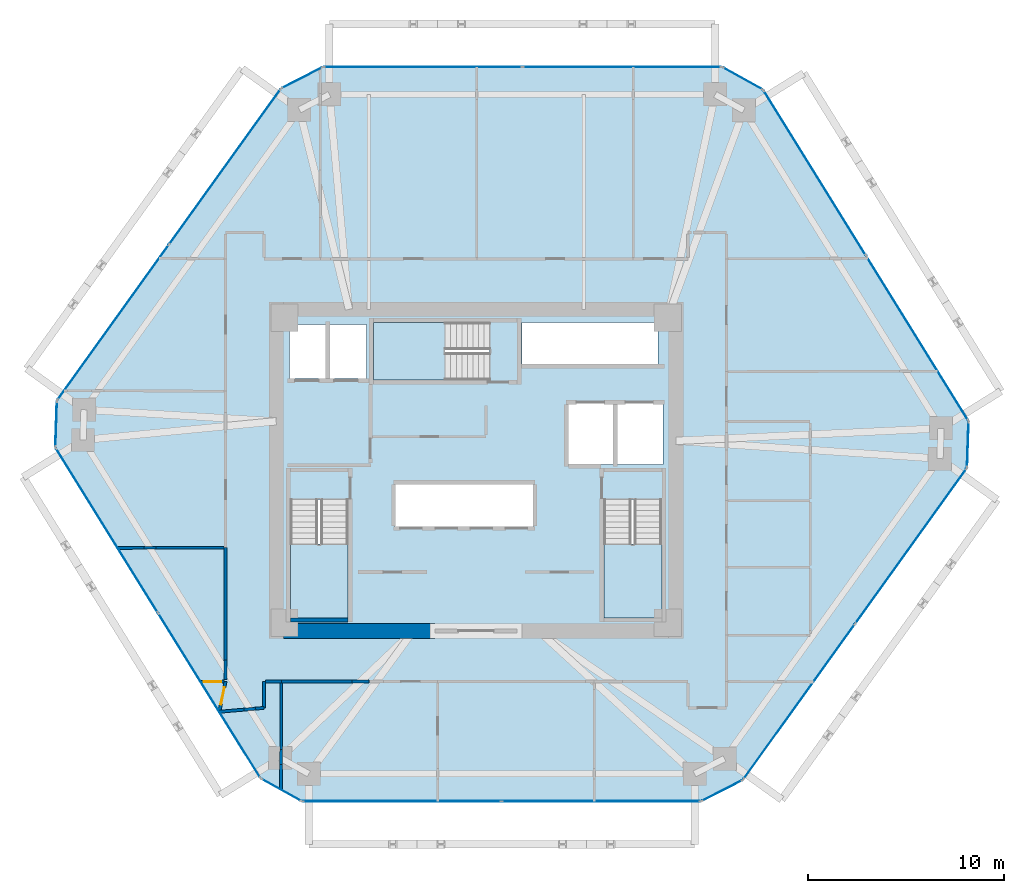
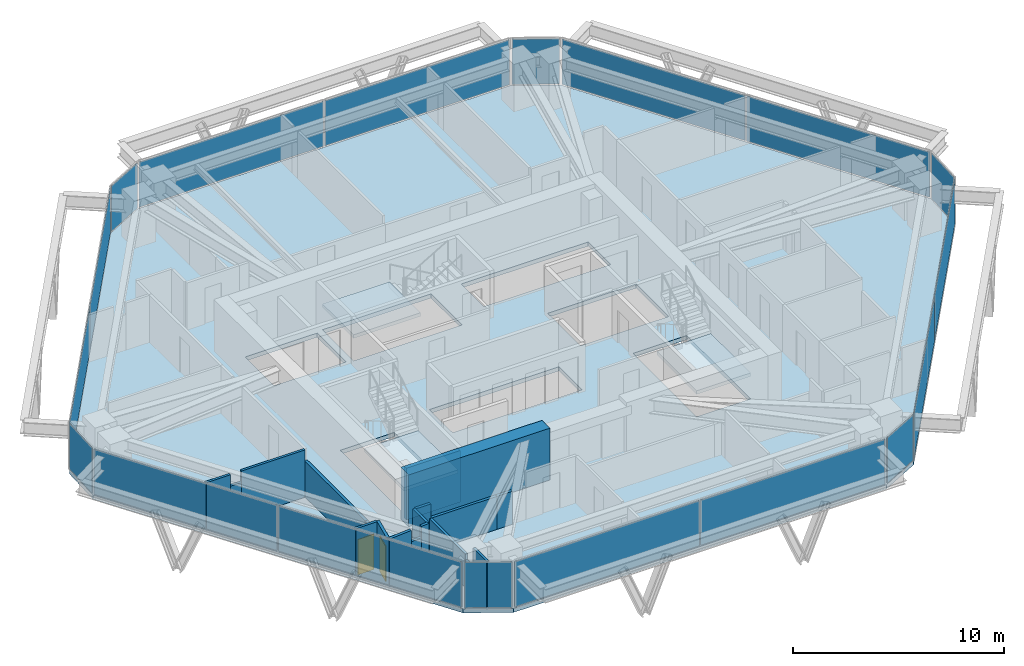
# One storey, part 9 of 14: 19 walls, 18 plates, 4 slabs, 2 doors, 2 openings, 15 elements without a shape of their own.
"""IFC4 building model written with IfcOpenShell, lengths in metres."""

from ifc_helpers import new_model, si_unit, direction, frame, frame_2d, origin, origin_2d, place, context, subcontext, project, spatial, polyline, rectangle, outline, extrude, source, transform, mapped, material, layer, layer_set, type_object, type_shapes, element, fill, aggregate, save


model = new_model("IFC4")

# Units and contexts
model_context = context("Model", 3, precision=1e-05, world=origin(), true_north=direction((0.0, 1.0)))
body_context = subcontext(model_context, "Body", "Model", "MODEL_VIEW")
ifc_project = project(units=[si_unit("LENGTHUNIT", "METRE"), si_unit("AREAUNIT", "SQUARE_METRE"), si_unit("VOLUMEUNIT", "CUBIC_METRE"), si_unit("PLANEANGLEUNIT", "RADIAN"), si_unit("MASSUNIT", "GRAM", prefix="KILO")], contexts=[model_context])

# Site, building, storey
site_placement = place(None, origin())
site = spatial("IfcSite", under=ifc_project, at=site_placement, CompositionType="ELEMENT")
building_placement = place(site_placement, origin())
building = spatial("IfcBuilding", under=site, at=building_placement, Name="Durnholm Broadcast Tower", CompositionType="ELEMENT")
storey_placement = place(building_placement, frame((0.0, 0.0, 140.10009765625)))
storey = spatial("IfcBuildingStorey", under=building, at=storey_placement, Name="L38", CompositionType="ELEMENT", Elevation=140.10009765625)

# Slab
ifc_material_1 = material(Name="Concrete C50/60", Category="concrete")
ifc_layer_1 = layer(ifc_material_1, 0.239990234375)
ifc_layer_set_1 = layer_set([ifc_layer_1], Name="Concrete C50/60")
slab_type_1 = type_object("IfcSlabType", Name="SLAB-FLR-240", PredefinedType="FLOOR", material=ifc_layer_set_1)
slab_1_placement = place(storey_placement, frame((0.0, 0.0, -0.239990234375)))
element("IfcSlab", 1, at=slab_1_placement, inside=storey, type_object=slab_type_1, Name="L38 structural floor slab", PredefinedType="FLOOR", context=body_context, shape_type="SweptSolid", body=[
    extrude(outline(polyline([(-11.012451171875, -15.77001953125), (-8.915283203125, -16.93701171875), (11.51416015625, -16.93701171875), (13.649658203125, -15.841796875), (25.11279296875, 0.114990234375), (25.1943359375, 2.513671875), (14.6904296875, 19.447998046875), (12.59326171875, 20.614990234375), (-7.836181640625, 20.614990234375), (-9.9716796875, 19.519775390625), (-21.434814453125, 3.56298828125), (-21.516357421875, 1.164306640625), (-11.012451171875, -15.77001953125)]), holes=[polyline([(-6.5400390625, -1.5), (-9.5, -1.5), (-9.5, -7.550048828125), (-6.5400390625, -7.550048828125), (-6.5400390625, -1.5)]), polyline([(9.5, -7.550048828125), (9.5, -1.5), (6.5400390625, -1.5), (6.5400390625, -7.550048828125), (9.5, -7.550048828125)]), polyline([(2.949951171875, -0.699951171875), (-4.14990234375, -0.699951171875), (-4.14990234375, -2.89990234375), (2.949951171875, -2.89990234375), (2.949951171875, -0.699951171875)]), polyline([(9.550048828125, 3.39990234375), (4.699951171875, 3.39990234375), (4.699951171875, 0.300048828125), (9.550048828125, 0.300048828125), (9.550048828125, 3.39990234375)]), polyline([(-5.60009765625, 7.449951171875), (-9.550048828125, 7.449951171875), (-9.550048828125, 4.699951171875), (-5.60009765625, 4.699951171875), (-5.60009765625, 7.449951171875)]), polyline([(-5.25, 4.60009765625), (0.699951171875, 4.60009765625), (0.699951171875, 7.56005859375), (-5.25, 7.56005859375), (-5.25, 4.60009765625)]), polyline([(9.31005859375, 7.550048828125), (2.35009765625, 7.550048828125), (2.35009765625, 5.39990234375), (9.31005859375, 5.39990234375), (9.31005859375, 7.550048828125)])]), origin(), (0.0, 0.0, 1.0), 0.239990234375),
])

# Stair, slab
stair_type = type_object("IfcStairType", Name="STAIR-DL-18R1667", PredefinedType="HALF_TURN_STAIR", material=ifc_material_1)
stair_1_placement = place(storey_placement, origin())
stair_1 = element("IfcStair", 2, at=stair_1_placement, inside=storey, type_object=stair_type, Name="L38 ST-1", PredefinedType="HALF_TURN_STAIR")
ifc_layer_2 = layer(ifc_material_1, 0.199951171875)
ifc_layer_set_2 = layer_set([ifc_layer_2], Name="Concrete C50/60")
slab_type_2 = type_object("IfcSlabType", Name="SLAB-LND-200", PredefinedType="LANDING", material=ifc_layer_set_2)
slab_2_placement = place(storey_placement, frame((0.0, 0.0, 1.2998046875)))
slab_2 = element("IfcSlab", 3, at=slab_2_placement, type_object=slab_type_2, Name="ST-1 landing 1", PredefinedType="LANDING", context=body_context, shape_type="SweptSolid", body=[
    extrude(outline(polyline([(-9.5, -3.780029296875), (-9.5, -7.550048828125), (-6.5400390625, -7.550048828125), (-6.5400390625, -3.780029296875), (-9.5, -3.780029296875)])), origin(), (0.0, 0.0, 1.0), 0.2001953125),
])
aggregate(stair_1, [slab_2])

stair_2_placement = place(storey_placement, origin())
stair_2 = element("IfcStair", 4, at=stair_2_placement, inside=storey, type_object=stair_type, Name="L38 ST-2", PredefinedType="HALF_TURN_STAIR")
slab_3_placement = place(storey_placement, frame((0.0, 0.0, 1.2998046875)))
slab_3 = element("IfcSlab", 5, at=slab_3_placement, type_object=slab_type_2, Name="ST-2 landing 1", PredefinedType="LANDING", context=body_context, shape_type="SweptSolid", body=[
    extrude(outline(polyline([(6.5400390625, -3.780029296875), (6.5400390625, -7.550048828125), (9.5, -7.550048828125), (9.5, -3.780029296875), (6.5400390625, -3.780029296875)])), origin(), (0.0, 0.0, 1.0), 0.2001953125),
])
aggregate(stair_2, [slab_3])

stair_3_placement = place(storey_placement, origin())
stair_3 = element("IfcStair", 6, at=stair_3_placement, inside=storey, type_object=stair_type, Name="L38 ST-3", PredefinedType="HALF_TURN_STAIR")
slab_4_placement = place(storey_placement, frame((0.0, 0.0, 1.2998046875)))
slab_4 = element("IfcSlab", 7, at=slab_4_placement, type_object=slab_type_2, Name="ST-3 landing 1", PredefinedType="LANDING", context=body_context, shape_type="SweptSolid", body=[
    extrude(outline(polyline([(-1.580078125, 7.56005859375), (-5.25, 7.56005859375), (-5.25, 4.60009765625), (-1.580078125, 4.60009765625), (-1.580078125, 7.56005859375)])), origin(), (0.0, 0.0, 1.0), 0.2001953125),
])
aggregate(stair_3, [slab_4])

# Curtain wall, plate
ifc_material_2 = material(Name="Aluminium and Solar Control IGU", Category="aluminium")
ifc_layer_3 = layer(ifc_material_2, 0.1650390625)
ifc_layer_set_3 = layer_set([ifc_layer_3], Name="Aluminium and Solar Control IGU")
curtain_wall_type_1 = type_object("IfcCurtainWallType", Name="CW-SYS-5", PredefinedType="NOTDEFINED", material=ifc_layer_set_3)
curtain_wall_1_placement = place(storey_placement, origin())
curtain_wall_1 = element("IfcCurtainWall", 8, at=curtain_wall_1_placement, inside=storey, type_object=curtain_wall_type_1, Name="L38 curtain wall CW-CORNER CW-L38-CRN-01", PredefinedType="NOTDEFINED")
ifc_material_3 = material(Name="Low-E Laminated Insulating Glass", Category="glass")
ifc_layer_4 = layer(ifc_material_3, 0.030029296875)
ifc_layer_set_4 = layer_set([ifc_layer_4], Name="Low-E Laminated Insulating Glass")
plate_type_1 = type_object("IfcPlateType", Name="CW-SYS-5-PNL", PredefinedType="CURTAIN_PANEL", material=ifc_layer_set_4)
shared_shape_1 = source(origin(), body_context, "Body", "SweptSolid", [
    extrude(rectangle(XDim=2.27001953125, YDim=0.030029296875, at=origin_2d()), origin(), (0.0, 0.0, 1.0), 2.6298828125),
])
type_shapes(plate_type_1, [shared_shape_1])
plate_1_placement = place(storey_placement, frame((-21.4755859375, 2.36376953125, 0.06494140625), z_axis=(0.0, 0.0, 1.0), x_axis=(0.033916937775, 0.999424655155, 0.0)))
plate_1 = element("IfcPlate", 9, at=plate_1_placement, type_object=plate_type_1, Name="CW-CORNER panel 1.1", PredefinedType="CURTAIN_PANEL", context=body_context, shape_type="MappedRepresentation", body=[
    mapped(shared_shape_1, transform((0.0, 0.0, 0.0), x_axis=(1.0, 0.0, 0.0), y_axis=(0.0, 1.0, 0.0), z_axis=(0.0, 0.0, 1.0), scale=1.0)),
])
aggregate(curtain_wall_1, [plate_1])

curtain_wall_2_placement = place(storey_placement, origin())
curtain_wall_2 = element("IfcCurtainWall", 10, at=curtain_wall_2_placement, inside=storey, type_object=curtain_wall_type_1, Name="L38 curtain wall CW-CORNER CW-L38-CRN-03", PredefinedType="NOTDEFINED")
plate_2_placement = place(storey_placement, frame((-8.904052734375, 20.0673828125, 0.06494140625), z_axis=(0.0, 0.0, 1.0), x_axis=(0.889788396392, 0.45637332267, 0.0)))
plate_2 = element("IfcPlate", 11, at=plate_2_placement, type_object=plate_type_1, Name="CW-CORNER panel 1.1", PredefinedType="CURTAIN_PANEL", context=body_context, shape_type="MappedRepresentation", body=[
    mapped(shared_shape_1, transform((0.0, 0.0, 0.0), x_axis=(1.0, 0.0, 0.0), y_axis=(0.0, 1.0, 0.0), z_axis=(0.0, 0.0, 1.0), scale=1.0)),
])
aggregate(curtain_wall_2, [plate_2])

curtain_wall_3_placement = place(storey_placement, origin())
curtain_wall_3 = element("IfcCurtainWall", 12, at=curtain_wall_3_placement, inside=storey, type_object=curtain_wall_type_1, Name="L38 curtain wall CW-CORNER CW-L38-CRN-05", PredefinedType="NOTDEFINED")
plate_3_placement = place(storey_placement, frame((13.641845703125, 20.031494140625, 0.06494140625), z_axis=(0.0, 0.0, 1.0), x_axis=(0.873822953715, -0.486244224192, 0.0)))
plate_3 = element("IfcPlate", 13, at=plate_3_placement, type_object=plate_type_1, Name="CW-CORNER panel 1.1", PredefinedType="CURTAIN_PANEL", context=body_context, shape_type="MappedRepresentation", body=[
    mapped(shared_shape_1, transform((0.0, 0.0, 0.0), x_axis=(1.0, 0.0, 0.0), y_axis=(0.0, 1.0, 0.0), z_axis=(0.0, 0.0, 1.0), scale=1.0)),
])
aggregate(curtain_wall_3, [plate_3])

curtain_wall_4_placement = place(storey_placement, origin())
curtain_wall_4 = element("IfcCurtainWall", 14, at=curtain_wall_4_placement, inside=storey, type_object=curtain_wall_type_1, Name="L38 curtain wall CW-CORNER CW-L38-CRN-07", PredefinedType="NOTDEFINED")
plate_4_placement = place(storey_placement, frame((25.153564453125, 1.314208984375, 0.06494140625), z_axis=(0.0, 0.0, 1.0), x_axis=(-0.033916937775, -0.999424655155, 0.0)))
plate_4 = element("IfcPlate", 15, at=plate_4_placement, type_object=plate_type_1, Name="CW-CORNER panel 1.1", PredefinedType="CURTAIN_PANEL", context=body_context, shape_type="MappedRepresentation", body=[
    mapped(shared_shape_1, transform((0.0, 0.0, 0.0), x_axis=(1.0, 0.0, 0.0), y_axis=(0.0, 1.0, 0.0), z_axis=(0.0, 0.0, 1.0), scale=1.0)),
])
aggregate(curtain_wall_4, [plate_4])

curtain_wall_5_placement = place(storey_placement, origin())
curtain_wall_5 = element("IfcCurtainWall", 16, at=curtain_wall_5_placement, inside=storey, type_object=curtain_wall_type_1, Name="L38 curtain wall CW-CORNER CW-L38-CRN-09", PredefinedType="NOTDEFINED")
plate_5_placement = place(storey_placement, frame((12.58203125, -16.389404296875, 0.06494140625), z_axis=(0.0, 0.0, 1.0), x_axis=(-0.889788396392, -0.45637332267, 0.0)))
plate_5 = element("IfcPlate", 17, at=plate_5_placement, type_object=plate_type_1, Name="CW-CORNER panel 1.1", PredefinedType="CURTAIN_PANEL", context=body_context, shape_type="MappedRepresentation", body=[
    mapped(shared_shape_1, transform((0.0, 0.0, 0.0), x_axis=(1.0, 0.0, 0.0), y_axis=(0.0, 1.0, 0.0), z_axis=(0.0, 0.0, 1.0), scale=1.0)),
])
aggregate(curtain_wall_5, [plate_5])

curtain_wall_6_placement = place(storey_placement, origin())
curtain_wall_6 = element("IfcCurtainWall", 18, at=curtain_wall_6_placement, inside=storey, type_object=curtain_wall_type_1, Name="L38 curtain wall CW-CORNER CW-L38-CRN-11", PredefinedType="NOTDEFINED")
plate_6_placement = place(storey_placement, frame((-9.9638671875, -16.353515625, 0.06494140625), z_axis=(0.0, 0.0, 1.0), x_axis=(-0.873822953715, 0.486244224192, 0.0)))
plate_6 = element("IfcPlate", 19, at=plate_6_placement, type_object=plate_type_1, Name="CW-CORNER panel 1.1", PredefinedType="CURTAIN_PANEL", context=body_context, shape_type="MappedRepresentation", body=[
    mapped(shared_shape_1, transform((0.0, 0.0, 0.0), x_axis=(1.0, 0.0, 0.0), y_axis=(0.0, 1.0, 0.0), z_axis=(0.0, 0.0, 1.0), scale=1.0)),
])
aggregate(curtain_wall_6, [plate_6])

# Curtain wall, plates
ifc_layer_5 = layer(ifc_material_2, 0.18994140625)
ifc_layer_set_5 = layer_set([ifc_layer_5], Name="Aluminium and Solar Control IGU")
curtain_wall_type_2 = type_object("IfcCurtainWallType", Name="CW-SYS-3", PredefinedType="NOTDEFINED", material=ifc_layer_set_5)
curtain_wall_7_placement = place(storey_placement, origin())
curtain_wall_7 = element("IfcCurtainWall", 20, at=curtain_wall_7_placement, inside=storey, type_object=curtain_wall_type_2, Name="L38 curtain wall CW-Z12-VIS CW-L38-F02", PredefinedType="NOTDEFINED")
ifc_layer_6 = layer(ifc_material_3, 0.031982421875)
ifc_layer_set_6 = layer_set([ifc_layer_6], Name="Low-E Laminated Insulating Glass")
plate_type_2 = type_object("IfcPlateType", Name="CW-SYS-3-PNL", PredefinedType="CURTAIN_PANEL", material=ifc_layer_set_6)
shared_shape_2 = source(origin(), body_context, "Body", "SweptSolid", [
    extrude(rectangle(XDim=9.71875, YDim=0.031982421875, at=origin_2d()), origin(), (0.0, 0.0, 1.0), 2.6201171875),
])
plate_7_placement = place(storey_placement, frame((-18.558837890625, 7.56640625, 0.06982421875), z_axis=(0.0, 0.0, 1.0), x_axis=(0.583445473786, 0.812152312759, 0.0)))
plate_7 = element("IfcPlate", 21, at=plate_7_placement, type_object=plate_type_2, Name="CW-Z12-VIS panel 1.1", PredefinedType="CURTAIN_PANEL", context=body_context, shape_type="MappedRepresentation", body=[
    mapped(shared_shape_2, transform((0.0, 0.0, 0.0), x_axis=(1.0, 0.0, 0.0), y_axis=(0.0, 1.0, 0.0), z_axis=(0.0, 0.0, 1.0), scale=1.0)),
])
plate_8_placement = place(storey_placement, frame((-12.84765625, 15.516357421875, 0.06982421875), z_axis=(0.0, 0.0, 1.0), x_axis=(0.583445473786, 0.812152312759, 0.0)))
plate_8 = element("IfcPlate", 22, at=plate_8_placement, type_object=plate_type_2, Name="CW-Z12-VIS panel 2.1", PredefinedType="CURTAIN_PANEL", context=body_context, shape_type="MappedRepresentation", body=[
    mapped(shared_shape_2, transform((0.0, 0.0, 0.0), x_axis=(1.0, 0.0, 0.0), y_axis=(0.0, 1.0, 0.0), z_axis=(0.0, 0.0, 1.0), scale=1.0)),
])
aggregate(curtain_wall_7, [plate_7, plate_8])

curtain_wall_8_placement = place(storey_placement, origin())
curtain_wall_8 = element("IfcCurtainWall", 23, at=curtain_wall_8_placement, inside=storey, type_object=curtain_wall_type_2, Name="L38 curtain wall CW-Z12-VIS CW-L38-F08", PredefinedType="NOTDEFINED")
plate_9_placement = place(storey_placement, frame((22.23681640625, -3.888427734375, 0.06982421875), z_axis=(0.0, 0.0, 1.0), x_axis=(-0.583445473786, -0.812152312759, 0.0)))
plate_9 = element("IfcPlate", 24, at=plate_9_placement, type_object=plate_type_2, Name="CW-Z12-VIS panel 1.1", PredefinedType="CURTAIN_PANEL", context=body_context, shape_type="MappedRepresentation", body=[
    mapped(shared_shape_2, transform((0.0, 0.0, 0.0), x_axis=(1.0, 0.0, 0.0), y_axis=(0.0, 1.0, 0.0), z_axis=(0.0, 0.0, 1.0), scale=1.0)),
])
plate_10_placement = place(storey_placement, frame((16.525634765625, -11.83837890625, 0.06982421875), z_axis=(0.0, 0.0, 1.0), x_axis=(-0.583445473786, -0.812152312759, 0.0)))
plate_10 = element("IfcPlate", 25, at=plate_10_placement, type_object=plate_type_2, Name="CW-Z12-VIS panel 2.1", PredefinedType="CURTAIN_PANEL", context=body_context, shape_type="MappedRepresentation", body=[
    mapped(shared_shape_2, transform((0.0, 0.0, 0.0), x_axis=(1.0, 0.0, 0.0), y_axis=(0.0, 1.0, 0.0), z_axis=(0.0, 0.0, 1.0), scale=1.0)),
])
aggregate(curtain_wall_8, [plate_9, plate_10])

curtain_wall_9_placement = place(storey_placement, origin())
curtain_wall_9 = element("IfcCurtainWall", 26, at=curtain_wall_9_placement, inside=storey, type_object=curtain_wall_type_2, Name="L38 curtain wall CW-Z12-VIS CW-L38-F04", PredefinedType="NOTDEFINED")
shared_shape_3 = source(origin(), body_context, "Body", "SweptSolid", [
    extrude(rectangle(XDim=10.109619140625, YDim=0.031982421875, at=origin_2d()), origin(), (0.0, 0.0, 1.0), 2.6201171875),
])
plate_11_placement = place(storey_placement, frame((-2.71142578125, 20.614990234375, 0.06982421875), z_axis=(0.0, 0.0, 1.0), x_axis=(1.0, 0.0, 0.0)))
plate_11 = element("IfcPlate", 27, at=plate_11_placement, type_object=plate_type_2, Name="CW-Z12-VIS panel 1.1", PredefinedType="CURTAIN_PANEL", context=body_context, shape_type="MappedRepresentation", body=[
    mapped(shared_shape_3, transform((0.0, 0.0, 0.0), x_axis=(1.0, 0.0, 0.0), y_axis=(0.0, 1.0, 0.0), z_axis=(0.0, 0.0, 1.0), scale=1.0)),
])
plate_12_placement = place(storey_placement, frame((7.46826171875, 20.614990234375, 0.06982421875), z_axis=(0.0, 0.0, 1.0), x_axis=(1.0, 0.0, 0.0)))
plate_12 = element("IfcPlate", 28, at=plate_12_placement, type_object=plate_type_2, Name="CW-Z12-VIS panel 2.1", PredefinedType="CURTAIN_PANEL", context=body_context, shape_type="MappedRepresentation", body=[
    mapped(shared_shape_3, transform((0.0, 0.0, 0.0), x_axis=(1.0, 0.0, 0.0), y_axis=(0.0, 1.0, 0.0), z_axis=(0.0, 0.0, 1.0), scale=1.0)),
])
aggregate(curtain_wall_9, [plate_11, plate_12])

curtain_wall_10_placement = place(storey_placement, origin())
curtain_wall_10 = element("IfcCurtainWall", 29, at=curtain_wall_10_placement, inside=storey, type_object=curtain_wall_type_2, Name="L38 curtain wall CW-Z12-VIS CW-L38-F10", PredefinedType="NOTDEFINED")
plate_13_placement = place(storey_placement, frame((6.389404296875, -16.93701171875, 0.06982421875), z_axis=(0.0, 0.0, 1.0), x_axis=(-1.0, 0.0, 0.0)))
plate_13 = element("IfcPlate", 30, at=plate_13_placement, type_object=plate_type_2, Name="CW-Z12-VIS panel 1.1", PredefinedType="CURTAIN_PANEL", context=body_context, shape_type="MappedRepresentation", body=[
    mapped(shared_shape_3, transform((0.0, 0.0, 0.0), x_axis=(1.0, 0.0, 0.0), y_axis=(0.0, 1.0, 0.0), z_axis=(0.0, 0.0, 1.0), scale=1.0)),
])
plate_14_placement = place(storey_placement, frame((-3.790283203125, -16.93701171875, 0.06982421875), z_axis=(0.0, 0.0, 1.0), x_axis=(-1.0, 0.0, 0.0)))
plate_14 = element("IfcPlate", 31, at=plate_14_placement, type_object=plate_type_2, Name="CW-Z12-VIS panel 2.1", PredefinedType="CURTAIN_PANEL", context=body_context, shape_type="MappedRepresentation", body=[
    mapped(shared_shape_3, transform((0.0, 0.0, 0.0), x_axis=(1.0, 0.0, 0.0), y_axis=(0.0, 1.0, 0.0), z_axis=(0.0, 0.0, 1.0), scale=1.0)),
])
aggregate(curtain_wall_10, [plate_13, plate_14])

curtain_wall_11_placement = place(storey_placement, origin())
curtain_wall_11 = element("IfcCurtainWall", 32, at=curtain_wall_11_placement, inside=storey, type_object=curtain_wall_type_2, Name="L38 curtain wall CW-Z12-VIS CW-L38-F06", PredefinedType="NOTDEFINED")
shared_shape_4 = source(origin(), body_context, "Body", "SweptSolid", [
    extrude(rectangle(XDim=9.858642578125, YDim=0.031982421875, at=origin_2d()), origin(), (0.0, 0.0, 1.0), 2.6201171875),
])
type_shapes(plate_type_2, [shared_shape_2, shared_shape_3, shared_shape_4])
plate_15_placement = place(storey_placement, frame((17.32568359375, 15.199462890625, 0.06982421875), z_axis=(0.0, 0.0, 1.0), x_axis=(0.527105385176, -0.849799925229, 0.0)))
plate_15 = element("IfcPlate", 33, at=plate_15_placement, type_object=plate_type_2, Name="CW-Z12-VIS panel 1.1", PredefinedType="CURTAIN_PANEL", context=body_context, shape_type="MappedRepresentation", body=[
    mapped(shared_shape_4, transform((0.0, 0.0, 0.0), x_axis=(1.0, 0.0, 0.0), y_axis=(0.0, 1.0, 0.0), z_axis=(0.0, 0.0, 1.0), scale=1.0)),
])
plate_16_placement = place(storey_placement, frame((22.55908203125, 6.761962890625, 0.06982421875), z_axis=(0.0, 0.0, 1.0), x_axis=(0.527105385176, -0.849799925229, 0.0)))
plate_16 = element("IfcPlate", 34, at=plate_16_placement, type_object=plate_type_2, Name="CW-Z12-VIS panel 2.1", PredefinedType="CURTAIN_PANEL", context=body_context, shape_type="MappedRepresentation", body=[
    mapped(shared_shape_4, transform((0.0, 0.0, 0.0), x_axis=(1.0, 0.0, 0.0), y_axis=(0.0, 1.0, 0.0), z_axis=(0.0, 0.0, 1.0), scale=1.0)),
])
aggregate(curtain_wall_11, [plate_15, plate_16])

curtain_wall_12_placement = place(storey_placement, origin())
curtain_wall_12 = element("IfcCurtainWall", 35, at=curtain_wall_12_placement, inside=storey, type_object=curtain_wall_type_2, Name="L38 curtain wall CW-Z12-VIS CW-L38-F12", PredefinedType="NOTDEFINED")
plate_17_placement = place(storey_placement, frame((-13.647705078125, -11.521484375, 0.06982421875), z_axis=(0.0, 0.0, 1.0), x_axis=(-0.527105385176, 0.849799925229, 0.0)))
plate_17 = element("IfcPlate", 36, at=plate_17_placement, type_object=plate_type_2, Name="CW-Z12-VIS panel 1.1", PredefinedType="CURTAIN_PANEL", context=body_context, shape_type="MappedRepresentation", body=[
    mapped(shared_shape_4, transform((0.0, 0.0, 0.0), x_axis=(1.0, 0.0, 0.0), y_axis=(0.0, 1.0, 0.0), z_axis=(0.0, 0.0, 1.0), scale=1.0)),
])
plate_18_placement = place(storey_placement, frame((-18.881103515625, -3.083984375, 0.06982421875), z_axis=(0.0, 0.0, 1.0), x_axis=(-0.527105385176, 0.849799925229, 0.0)))
plate_18 = element("IfcPlate", 37, at=plate_18_placement, type_object=plate_type_2, Name="CW-Z12-VIS panel 2.1", PredefinedType="CURTAIN_PANEL", context=body_context, shape_type="MappedRepresentation", body=[
    mapped(shared_shape_4, transform((0.0, 0.0, 0.0), x_axis=(1.0, 0.0, 0.0), y_axis=(0.0, 1.0, 0.0), z_axis=(0.0, 0.0, 1.0), scale=1.0)),
])
aggregate(curtain_wall_12, [plate_17, plate_18])

# Walls
ifc_material_4 = material(Name="Concrete C70/85", Category="concrete")
ifc_layer_7 = layer(ifc_material_4, 0.75)
ifc_layer_set_7 = layer_set([ifc_layer_7], Name="Concrete C70/85")
wall_type_1 = type_object("IfcWallType", Name="WALL-CW-750", PredefinedType="SHEAR", material=ifc_layer_set_7)
wall_1_placement = place(storey_placement, frame((-9.85009765625, -8.22509765625, 0.0), z_axis=(0.0, 0.0, 1.0), x_axis=(1.0, 0.0, 0.0)))
element("IfcWall", 38, at=wall_1_placement, inside=storey, type_object=wall_type_1, Name="L38 central core shear wall CW-S1", PredefinedType="SHEAR", context=body_context, shape_type="SweptSolid", body=[
    extrude(rectangle(XDim=7.75, YDim=0.75, at=frame_2d((3.875, 0.0))), origin(), (0.0, 0.0, 1.0), 3.0),
])
ifc_material_5 = material(Name="Gypsum Metal Stud Partition", Category="concrete")
ifc_layer_8 = layer(ifc_material_5, 0.135009765625)
ifc_layer_set_8 = layer_set([ifc_layer_8], Name="Gypsum Metal Stud Partition")
wall_type_2 = type_object("IfcWallType", Name="WALL-PART-135", PredefinedType="PARTITIONING", material=ifc_layer_set_8)
wall_2_placement = place(storey_placement, frame((-9.960205078125, -10.888916015625, 0.0), z_axis=(0.0, 0.0, 1.0), x_axis=(-0.003528457908, -0.999993774973, 0.0)))
element("IfcWall", 39, at=wall_2_placement, inside=storey, type_object=wall_type_2, Name="L38 room dividing partition 11.12", PredefinedType="PARTITIONING", context=body_context, shape_type="SweptSolid", body=[
    extrude(rectangle(XDim=3.390380859375, YDim=0.135009765625, at=frame_2d((1.6953125, 0.0))), origin(), (0.0, 0.0, 1.0), 1.912109375),
])
wall_3_placement = place(storey_placement, frame((-9.974853515625, -15.0478515625, 0.0), z_axis=(0.0, 0.0, 1.0), x_axis=(-0.003576784349, -0.999993603286, 0.0)))
element("IfcWall", 40, at=wall_3_placement, inside=storey, type_object=wall_type_2, Name="L38 room dividing partition 11.12", PredefinedType="PARTITIONING", context=body_context, shape_type="SweptSolid", body=[
    extrude(rectangle(XDim=1.296875, YDim=0.135009765625, at=frame_2d((0.6484375, 0.0))), origin(), (0.0, 0.0, 1.0), 2.744873046875),
])
wall_4_placement = place(storey_placement, frame((-9.97216796875, -14.279296875, 0.0), z_axis=(0.0, 0.0, 1.0), x_axis=(-0.003494260751, -0.999993895052, 0.0)))
element("IfcWall", 41, at=wall_4_placement, inside=storey, type_object=wall_type_2, Name="L38 room dividing partition 11.12", PredefinedType="PARTITIONING", context=body_context, shape_type="SweptSolid", body=[
    extrude(rectangle(XDim=0.7685546875, YDim=0.135009765625, at=frame_2d((0.38427734375, 0.0))), origin(), (0.0, 0.0, 1.0), 1.576904296875),
])

# Wall, opening, door
wall_5_placement = place(storey_placement, frame((-14.075927734375, -10.8310546875, 0.0), z_axis=(0.0, 0.0, 1.0), x_axis=(0.999860796611, 0.016684945308, 0.0)))
wall_5 = element("IfcWall", 42, at=wall_5_placement, inside=storey, type_object=wall_type_2, Name="L38 room dividing partition 11.15", PredefinedType="PARTITIONING", context=body_context, shape_type="SweptSolid", body=[
    extrude(rectangle(XDim=1.185302734375, YDim=0.135009765625, at=frame_2d((0.5927734375, 0.0))), origin(), (0.0, 0.0, 1.0), 2.744873046875),
])
opening_1_placement = place(wall_5_placement, frame((0.142578125, 0.0, 0.0)))
opening_1 = element("IfcOpeningElement", 43, at=opening_1_placement, cuts=wall_5, Name="Opening DW-90L", PredefinedType="OPENING", context=body_context, shape_type="SweptSolid", body=[
    extrude(rectangle(XDim=0.89990234375, YDim=2.050048828125, at=frame_2d((0.449951171875, 1.02490234375))), frame((0.0, 0.07763671875, 0.0), z_axis=(0.0, -1.0, 0.0), x_axis=(1.0, 0.0, 0.0)), (0.0, 0.0, 1.0), 0.155029296875),
])
ifc_material_6 = material(Name="Laminate Restroom Door", Category="steel")
ifc_layer_9 = layer(ifc_material_6, 0.050048828125)
ifc_layer_set_9 = layer_set([ifc_layer_9], Name="Laminate Restroom Door")
door_type = type_object("IfcDoorType", Name="DOOR-WC-900L", OperationType="NOTDEFINED", PredefinedType="DOOR", material=ifc_layer_set_9)
shared_shape_5 = source(origin(), body_context, "Body", "SweptSolid", [
    extrude(rectangle(XDim=0.89990234375, YDim=2.050048828125, at=frame_2d((0.449951171875, 1.02490234375))), frame((0.0, 0.02490234375, 0.0), z_axis=(0.0, -1.0, 0.0), x_axis=(1.0, 0.0, 0.0)), (0.0, 0.0, 1.0), 0.050048828125),
])
type_shapes(door_type, [shared_shape_5])
door_1_placement = place(opening_1_placement, origin())
door_1 = element("IfcDoor", 44, at=door_1_placement, inside=storey, type_object=door_type, Name="L38 Compliance Office 1 connecting door", OperationType="SINGLE_SWING_LEFT", OverallHeight=2.050048828125, OverallWidth=0.89990234375, PredefinedType="DOOR", context=body_context, shape_type="MappedRepresentation", body=[
    mapped(shared_shape_5, transform((0.0, 0.0, 0.0), x_axis=(1.0, 0.0, 0.0), y_axis=(0.0, 1.0, 0.0), z_axis=(0.0, 0.0, 1.0), scale=1.0)),
])
fill(opening_1, door_1)

# Walls
wall_6_placement = place(storey_placement, frame((-18.32470703125, -3.981201171875, 0.0), z_axis=(0.0, 0.0, 1.0), x_axis=(0.999992603632, 0.003846125399, 0.0)))
element("IfcWall", 45, at=wall_6_placement, inside=storey, type_object=wall_type_2, Name="L38 room dividing partition 15.16", PredefinedType="PARTITIONING", context=body_context, shape_type="SweptSolid", body=[
    extrude(rectangle(XDim=1.3330078125, YDim=0.135009765625, at=frame_2d((0.66650390625, 0.0))), origin(), (0.0, 0.0, 1.0), 2.744873046875),
])
wall_7_placement = place(storey_placement, frame((-16.37060546875, -3.9736328125, 0.0), z_axis=(0.0, 0.0, 1.0), x_axis=(0.999992563123, 0.003856643361, 0.0)))
element("IfcWall", 46, at=wall_7_placement, inside=storey, type_object=wall_type_2, Name="L38 room dividing partition 15.16", PredefinedType="PARTITIONING", context=body_context, shape_type="SweptSolid", body=[
    extrude(rectangle(XDim=3.481689453125, YDim=0.135009765625, at=frame_2d((1.74072265625, 0.0))), origin(), (0.0, 0.0, 1.0), 2.744873046875),
])
wall_8_placement = place(storey_placement, frame((-16.99169921875, -3.97607421875, 0.0), z_axis=(0.0, 0.0, 1.0), x_axis=(0.999992274426, 0.003930787242, 0.0)))
element("IfcWall", 47, at=wall_8_placement, inside=storey, type_object=wall_type_2, Name="L38 room dividing partition 15.16", PredefinedType="PARTITIONING", context=body_context, shape_type="SweptSolid", body=[
    extrude(rectangle(XDim=0.62109375, YDim=0.135009765625, at=frame_2d((0.310546875, 0.0))), origin(), (0.0, 0.0, 1.0), 2.079833984375),
])
ifc_material_7 = material(Name="Acoustic Gypsum Stud Partition", Category="concrete")
ifc_layer_10 = layer(ifc_material_7, 0.14990234375)
ifc_layer_set_10 = layer_set([ifc_layer_10], Name="Acoustic Gypsum Stud Partition")
wall_type_3 = type_object("IfcWallType", Name="WALL-PART-150", PredefinedType="PARTITIONING", material=ifc_layer_set_10)
wall_9_placement = place(storey_placement, frame((-13.12890625, -12.35791015625, 0.0), z_axis=(0.0, 0.0, 1.0), x_axis=(0.996285787619, 0.086108242279, 0.0)))
element("IfcWall", 48, at=wall_9_placement, inside=storey, type_object=wall_type_3, Name="L38 IP Counsel Office corridor partition", PredefinedType="PARTITIONING", context=body_context, shape_type="SweptSolid", body=[
    extrude(rectangle(XDim=1.27294921875, YDim=0.14990234375, at=frame_2d((0.636474609375, 0.0))), origin(), (0.0, 0.0, 1.0), 2.744873046875),
])
wall_10_placement = place(storey_placement, frame((-11.269775390625, -12.197021484375, 0.0), z_axis=(0.0, 0.0, 1.0), x_axis=(0.996291394281, 0.086043347688, 0.0)))
element("IfcWall", 49, at=wall_10_placement, inside=storey, type_object=wall_type_3, Name="L38 IP Counsel Office corridor partition", PredefinedType="PARTITIONING", context=body_context, shape_type="SweptSolid", body=[
    extrude(rectangle(XDim=0.431396484375, YDim=0.14990234375, at=frame_2d((0.2158203125, 0.0))), origin(), (0.0, 0.0, 1.0), 2.744873046875),
])
wall_11_placement = place(storey_placement, frame((-11.860595703125, -12.248291015625, 0.0), z_axis=(0.0, 0.0, 1.0), x_axis=(0.996256019863, 0.086451968666, 0.0)))
element("IfcWall", 50, at=wall_11_placement, inside=storey, type_object=wall_type_3, Name="L38 IP Counsel Office corridor partition", PredefinedType="PARTITIONING", context=body_context, shape_type="SweptSolid", body=[
    extrude(rectangle(XDim=0.593017578125, YDim=0.14990234375, at=frame_2d((0.29638671875, 0.0))), origin(), (0.0, 0.0, 1.0), 2.079833984375),
])

# Wall, opening, door
wall_12_placement = place(storey_placement, frame((-12.81005859375, -10.81005859375, 0.0), z_axis=(0.0, 0.0, 1.0), x_axis=(-0.201786289638, -0.979429575474, 0.0)))
wall_12 = element("IfcWall", 51, at=wall_12_placement, inside=storey, type_object=wall_type_3, Name="L38 IP Counsel Office corridor partition", PredefinedType="PARTITIONING", context=body_context, shape_type="SweptSolid", body=[
    extrude(rectangle(XDim=1.497802734375, YDim=0.14990234375, at=frame_2d((0.7490234375, 0.0))), origin(), (0.0, 0.0, 1.0), 2.744873046875),
])
opening_2_placement = place(wall_12_placement, frame((0.299072265625, 0.0, 0.0)))
opening_2 = element("IfcOpeningElement", 52, at=opening_2_placement, cuts=wall_12, Name="Opening DW-90L", PredefinedType="OPENING", context=body_context, shape_type="SweptSolid", body=[
    extrude(rectangle(XDim=0.89990234375, YDim=2.050048828125, at=frame_2d((0.449951171875, 1.02490234375))), frame((0.0, 0.0849609375, 0.0), z_axis=(0.0, -1.0, 0.0), x_axis=(1.0, 0.0, 0.0)), (0.0, 0.0, 1.0), 0.169921875),
])
door_2_placement = place(opening_2_placement, origin())
door_2 = element("IfcDoor", 53, at=door_2_placement, inside=storey, type_object=door_type, Name="L38 IP Counsel Office entrance door", OperationType="SINGLE_SWING_LEFT", OverallHeight=2.050048828125, OverallWidth=0.89990234375, PredefinedType="DOOR", context=body_context, shape_type="MappedRepresentation", body=[
    mapped(shared_shape_5, transform((0.0, 0.0, 0.0), x_axis=(1.0, 0.0, 0.0), y_axis=(0.0, 1.0, 0.0), z_axis=(0.0, 0.0, 1.0), scale=1.0)),
])
fill(opening_2, door_2)

# Walls
wall_13_placement = place(storey_placement, frame((-10.840087890625, -12.159912109375, 0.0), z_axis=(0.0, 0.0, 1.0), x_axis=(0.0, 1.0, 0.0)))
element("IfcWall", 54, at=wall_13_placement, inside=storey, type_object=wall_type_3, Name="L38 IP Counsel Office corridor partition", PredefinedType="PARTITIONING", context=body_context, shape_type="SweptSolid", body=[
    extrude(rectangle(XDim=1.349853515625, YDim=0.14990234375, at=frame_2d((0.6748046875, 0.0))), origin(), (0.0, 0.0, 1.0), 2.744873046875),
])
wall_14_placement = place(storey_placement, frame((-10.760986328125, -10.81005859375, 0.0), z_axis=(0.0, 0.0, 1.0), x_axis=(1.0, 0.0, 0.0)))
element("IfcWall", 55, at=wall_14_placement, inside=storey, type_object=wall_type_3, Name="L38 IP Counsel Office corridor partition", PredefinedType="PARTITIONING", context=body_context, shape_type="SweptSolid", body=[
    extrude(rectangle(XDim=0.801025390625, YDim=0.14990234375, at=frame_2d((0.400390625, 0.0))), origin(), (0.0, 0.0, 1.0), 2.744873046875),
])
wall_15_placement = place(storey_placement, frame((-9.9599609375, -10.81005859375, 0.0), z_axis=(0.0, 0.0, 1.0), x_axis=(1.0, 0.0, 0.0)))
element("IfcWall", 56, at=wall_15_placement, inside=storey, type_object=wall_type_3, Name="L38 Deposition Meeting Room corridor partition", PredefinedType="PARTITIONING", context=body_context, shape_type="SweptSolid", body=[
    extrude(rectangle(XDim=3.62548828125, YDim=0.14990234375, at=frame_2d((1.812744140625, 0.0))), origin(), (0.0, 0.0, 1.0), 1.912109375),
])
wall_16_placement = place(storey_placement, frame((-6.33447265625, -10.81005859375, 0.0), z_axis=(0.0, 0.0, 1.0), x_axis=(1.0, 0.0, 0.0)))
element("IfcWall", 57, at=wall_16_placement, inside=storey, type_object=wall_type_3, Name="L38 Deposition Meeting Room corridor partition", PredefinedType="PARTITIONING", context=body_context, shape_type="SweptSolid", body=[
    extrude(rectangle(XDim=0.84765625, YDim=0.14990234375, at=frame_2d((0.423828125, 0.0))), origin(), (0.0, 0.0, 1.0), 1.912109375),
])
wall_17_placement = place(storey_placement, frame((-12.81005859375, -3.9599609375, 0.0), z_axis=(0.0, 0.0, 1.0), x_axis=(0.0, -1.0, 0.0)))
element("IfcWall", 58, at=wall_17_placement, inside=storey, type_object=wall_type_3, Name="L38 Compliance Office 1 corridor partition", PredefinedType="PARTITIONING", context=body_context, shape_type="SweptSolid", body=[
    extrude(rectangle(XDim=5.754150390625, YDim=0.14990234375, at=frame_2d((2.876953125, 0.0))), origin(), (0.0, 0.0, 1.0), 2.079833984375),
])
wall_18_placement = place(storey_placement, frame((-12.81005859375, -9.714111328125, 0.0), z_axis=(0.0, 0.0, 1.0), x_axis=(0.0, -1.0, 0.0)))
element("IfcWall", 59, at=wall_18_placement, inside=storey, type_object=wall_type_3, Name="L38 Compliance Office 1 corridor partition", PredefinedType="PARTITIONING", context=body_context, shape_type="SweptSolid", body=[
    extrude(rectangle(XDim=1.003662109375, YDim=0.14990234375, at=frame_2d((0.501953125, 0.0))), origin(), (0.0, 0.0, 1.0), 2.079833984375),
])
ifc_layer_11 = layer(ifc_material_1, 0.219970703125)
ifc_layer_set_11 = layer_set([ifc_layer_11], Name="Concrete C50/60")
wall_type_4 = type_object("IfcWallType", Name="WALL-SW-220", PredefinedType="SHEAR", material=ifc_layer_set_11)
wall_19_placement = place(storey_placement, frame((-9.5, -7.659912109375, -0.239990234375), z_axis=(0.0, 0.0, 1.0), x_axis=(1.0, 0.0, 0.0)))
element("IfcWall", 60, at=wall_19_placement, inside=storey, type_object=wall_type_4, Name="L38 stair ST-1 structural shaft wall S", PredefinedType="SHEAR", context=body_context, shape_type="SweptSolid", body=[
    extrude(rectangle(XDim=2.9599609375, YDim=0.219970703125, at=frame_2d((1.47998046875, 0.0))), origin(), (0.0, 0.0, 1.0), 3.0),
])

save(model, "model.ifc")
